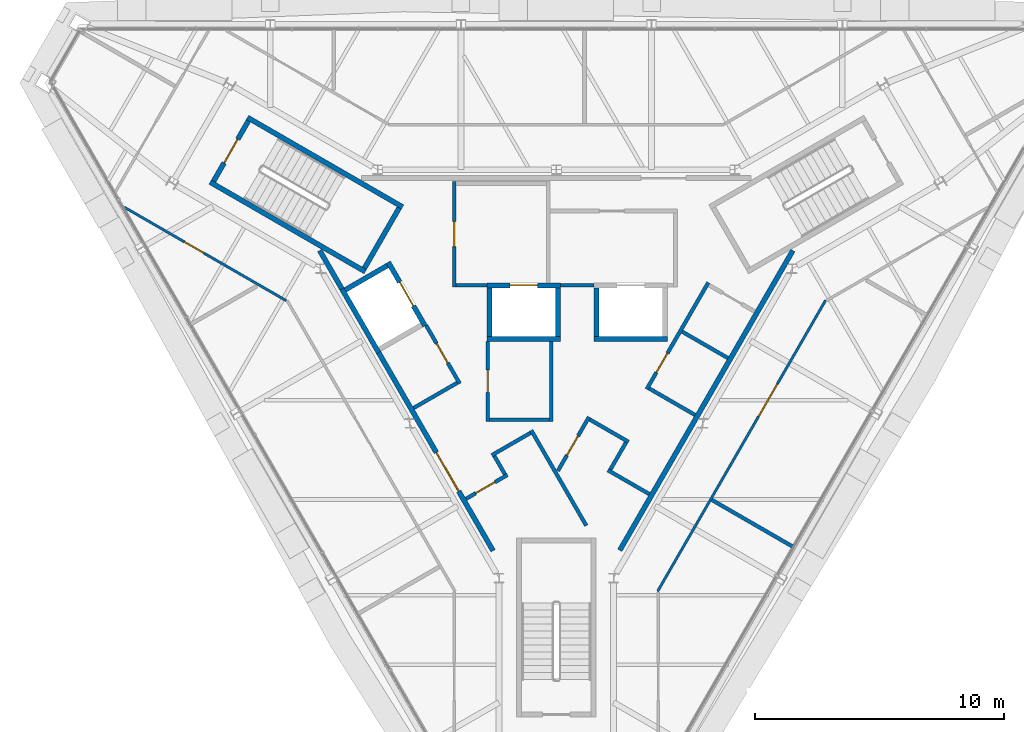
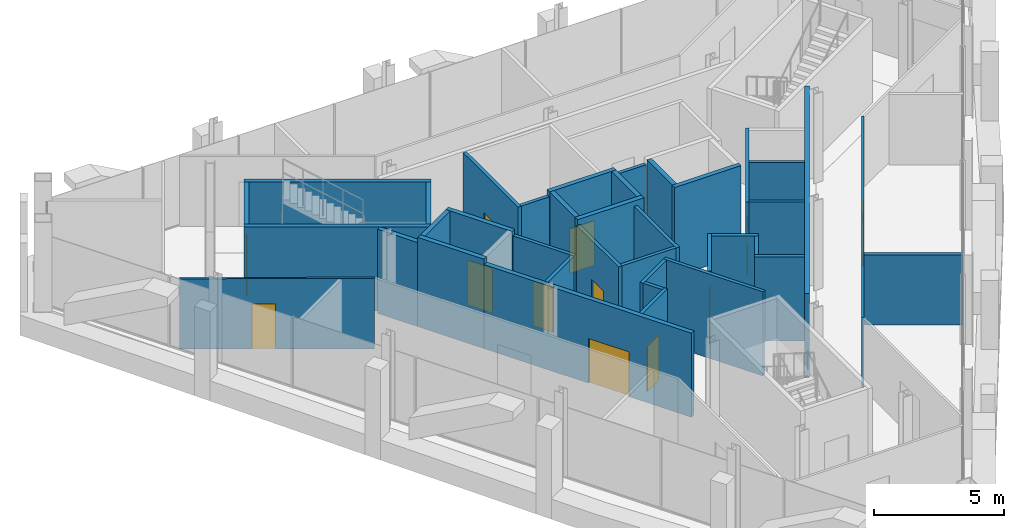
# One storey, part 9 of 13: 38 walls, 12 doors, 12 openings.
"""IFC4 building model written with IfcOpenShell, lengths in metres."""

from ifc_helpers import new_model, si_unit, direction, frame, frame_2d, origin, place, context, subcontext, project, spatial, rectangle, extrude, material, layer, layer_set, type_object, element, fill, save


model = new_model("IFC4")

# Units and contexts
model_context = context("Model", 3, precision=1e-05, world=origin(), true_north=direction((0.0, 1.0)))
body_context = subcontext(model_context, "Body", "Model", "MODEL_VIEW")
ifc_project = project(units=[si_unit("LENGTHUNIT", "METRE"), si_unit("AREAUNIT", "SQUARE_METRE"), si_unit("VOLUMEUNIT", "CUBIC_METRE"), si_unit("PLANEANGLEUNIT", "RADIAN"), si_unit("MASSUNIT", "GRAM", prefix="KILO")], contexts=[model_context])

# Site, building, storey
site_placement = place(None, origin())
site = spatial("IfcSite", under=ifc_project, at=site_placement, CompositionType="ELEMENT")
building_placement = place(site_placement, origin())
building = spatial("IfcBuilding", under=site, at=building_placement, Name="Verrane Prism Tower", CompositionType="ELEMENT")
storey_placement = place(building_placement, frame((0.0, 0.0, 312.60009765625)))
storey = spatial("IfcBuildingStorey", under=building, at=storey_placement, Name="L79", CompositionType="ELEMENT", Elevation=312.60009765625)

# Wall
ifc_material_1 = material(Name="Gypsum board partition", Category="other")
ifc_layer_1 = layer(ifc_material_1, 0.199951171875)
ifc_layer_set_1 = layer_set([ifc_layer_1], Name="CW-200 core boundary wall 2 h")
wall_type_1 = type_object("IfcWallType", Name="CW-200 core boundary wall 2 h", PredefinedType="PARTITIONING", material=ifc_layer_set_1)
wall_1_placement = place(storey_placement, frame((-9.509033203125, 3.550537109375, 0.0), z_axis=(0.0, 0.0, 1.0), x_axis=(0.499999136801, -0.866025902152, 0.0)))
element("IfcWall", 1, at=wall_1_placement, inside=storey, type_object=wall_type_1, Name="Core boundary wall CW3-001", PredefinedType="PARTITIONING", context=body_context, shape_type="SweptSolid", body=[
    extrude(rectangle(XDim=1.7822265625, YDim=0.199951171875, at=frame_2d((0.89111328125, 0.0))), origin(), (0.0, 0.0, 1.0), 3.949951171875),
])

# Wall, opening, door
wall_2_placement = place(storey_placement, frame((-7.14111328125, -0.551025390625, 0.0), z_axis=(0.0, 0.0, 1.0), x_axis=(0.499992795234, -0.866029563418, 0.0)))
wall_2 = element("IfcWall", 2, at=wall_2_placement, inside=storey, type_object=wall_type_1, Name="Core boundary wall CW3-003", PredefinedType="PARTITIONING", context=body_context, shape_type="SweptSolid", body=[
    extrude(rectangle(XDim=9.198486328125, YDim=0.199951171875, at=frame_2d((4.59912109375, 0.0))), origin(), (0.0, 0.0, 1.0), 3.949951171875),
])
opening_1_placement = place(wall_2_placement, frame((4.634033203125, 0.0, 0.0)))
opening_1 = element("IfcOpeningElement", 3, at=opening_1_placement, cuts=wall_2, Name="Opening D79507", PredefinedType="OPENING", context=body_context, shape_type="SweptSolid", body=[
    extrude(rectangle(XDim=1.800048828125, YDim=2.10009765625, at=frame_2d((0.89990234375, 1.050048828125))), frame((0.0, 0.10986328125, 0.0), z_axis=(0.0, -1.0, 0.0), x_axis=(1.0, 0.0, 0.0)), (0.0, 0.0, 1.0), 0.219970703125),
])
ifc_material_2 = material(Name="Timber veneered door leaf", Category="wood")
door_type_1 = type_object("IfcDoorType", Name="DR-1800x2100 FD60 double leaf lift lobby", OperationType="NOTDEFINED", PredefinedType="DOOR", material=ifc_material_2)
door_1_placement = place(opening_1_placement, origin())
door_1 = element("IfcDoor", 4, at=door_1_placement, inside=storey, type_object=door_type_1, Name="Lift lobby door D79507", OperationType="DOUBLE_DOOR_SINGLE_SWING", OverallHeight=2.10009765625, OverallWidth=1.800048828125, PredefinedType="DOOR", context=body_context, shape_type="SweptSolid", body=[
    extrude(rectangle(XDim=1.800048828125, YDim=2.10009765625, at=frame_2d((0.89990234375, 1.050048828125))), frame((0.0, 0.02490234375, 0.0), z_axis=(0.0, -1.0, 0.0), x_axis=(1.0, 0.0, 0.0)), (0.0, 0.0, 1.0), 0.050048828125),
])
fill(opening_1, door_1)

# Wall
wall_3_placement = place(storey_placement, frame((2.552001953125, -8.5, 0.0), z_axis=(0.0, 0.0, 1.0), x_axis=(0.499981156672, 0.866036282712, 0.0)))
element("IfcWall", 5, at=wall_3_placement, inside=storey, type_object=wall_type_1, Name="Core boundary wall CW3-004", PredefinedType="PARTITIONING", context=body_context, shape_type="SweptSolid", body=[
    extrude(rectangle(XDim=13.91455078125, YDim=0.199951171875, at=frame_2d((6.957275390625, 0.0))), origin(), (0.0, 0.0, 1.0), 3.949951171875),
])

# Wall, opening, door
ifc_material_3 = material(Name="Concrete C40/50", Category="concrete")
ifc_layer_2 = layer(ifc_material_3, 0.199951171875)
ifc_layer_set_2 = layer_set([ifc_layer_2], Name="CW-200 stair core wall concrete C40/50 3 h")
wall_type_2 = type_object("IfcWallType", Name="CW-200 stair core wall concrete C40/50 3 h", PredefinedType="PARTITIONING", material=ifc_layer_set_2)
wall_4_placement = place(storey_placement, frame((-12.376953125, 8.762451171875, 0.0), z_axis=(0.0, 0.0, 1.0), x_axis=(-0.500049511043, -0.865996816683, 0.0)))
wall_4 = element("IfcWall", 6, at=wall_4_placement, inside=storey, type_object=wall_type_2, Name="Stair 2 enclosure wall", PredefinedType="PARTITIONING", context=body_context, shape_type="SweptSolid", body=[
    extrude(rectangle(XDim=2.800048828125, YDim=0.199951171875, at=frame_2d((1.39990234375, 0.0))), origin(), (0.0, 0.0, 1.0), 3.949951171875),
])
opening_2_placement = place(wall_4_placement, frame((0.849853515625, 0.0, 0.0)))
opening_2 = element("IfcOpeningElement", 7, at=opening_2_placement, cuts=wall_4, Name="Opening D79501", PredefinedType="OPENING", context=body_context, shape_type="SweptSolid", body=[
    extrude(rectangle(XDim=1.10009765625, YDim=2.10009765625, at=frame_2d((0.550048828125, 1.050048828125))), frame((0.0, 0.10986328125, 0.0), z_axis=(0.0, -1.0, 0.0), x_axis=(1.0, 0.0, 0.0)), (0.0, 0.0, 1.0), 0.219970703125),
])
ifc_material_4 = material(Name="Timber veneered door leaf", Category="wood")
door_type_2 = type_object("IfcDoorType", Name="DR-1100x2100 FD90 single leaf stair", OperationType="NOTDEFINED", PredefinedType="DOOR", material=ifc_material_4)
door_2_placement = place(opening_2_placement, origin())
door_2 = element("IfcDoor", 8, at=door_2_placement, inside=storey, type_object=door_type_2, Name="Stair 2 door", OperationType="SINGLE_SWING_RIGHT", OverallHeight=2.10009765625, OverallWidth=1.10009765625, PredefinedType="DOOR", context=body_context, shape_type="SweptSolid", body=[
    extrude(rectangle(XDim=1.10009765625, YDim=2.10009765625, at=frame_2d((0.550048828125, 1.050048828125))), frame((0.0, 0.02490234375, 0.0), z_axis=(0.0, -1.0, 0.0), x_axis=(1.0, 0.0, 0.0)), (0.0, 0.0, 1.0), 0.050048828125),
])
fill(opening_2, door_2)

# Walls
for number, where, z_axis, x_axis, name in (
    (9, (-7.67822265625, 2.700927734375, 0.0), (0.0, 0.0, 1.0), (-0.866018442252, 0.500012057535, 0.0), "Stair 2 enclosure wall"),
    (10, (-6.17822265625, 5.299072265625, 0.0), (0.0, 0.0, 1.0), (-0.866033125095, 0.499986626058, 0.0), "Stair 2 enclosure wall"),
):
    element("IfcWall", number, at=place(storey_placement, frame(where, z_axis=z_axis, x_axis=x_axis)), inside=storey, type_object=wall_type_2, Name=name, PredefinedType="PARTITIONING", context=body_context, shape_type="SweptSolid", body=[
        extrude(rectangle(XDim=7.199951171875, YDim=0.199951171875, at=frame_2d((3.60009765625, 0.0))), origin(), (0.0, 0.0, 1.0), 3.949951171875),
    ])
wall_5_placement = place(storey_placement, frame((-6.314697265625, 5.262451171875, 0.0), z_axis=(0.0, 0.0, 1.0), x_axis=(-0.500049511043, -0.865996816683, 0.0)))
element("IfcWall", 11, at=wall_5_placement, inside=storey, type_object=wall_type_2, Name="Stair 2 enclosure wall", PredefinedType="PARTITIONING", context=body_context, shape_type="SweptSolid", body=[
    extrude(rectangle(XDim=2.800048828125, YDim=0.199951171875, at=frame_2d((1.39990234375, 0.0))), origin(), (0.0, 0.0, 1.0), 3.949951171875),
])
ifc_material_5 = material(Name="Gypsum board shaft wall assembly", Category="other")
ifc_layer_3 = layer(ifc_material_5, 0.199951171875)
ifc_layer_set_3 = layer_set([ifc_layer_3], Name="HW-200 lift shaft wall 2 h")
wall_type_3 = type_object("IfcWallType", Name="HW-200 lift shaft wall 2 h", PredefinedType="PARTITIONING", material=ifc_layer_set_3)
wall_6_placement = place(storey_placement, frame((-2.784912109375, 0.0, 0.0), z_axis=(0.0, 0.0, 1.0), x_axis=(1.0, 0.0, 0.0)))
element("IfcWall", 12, at=wall_6_placement, inside=storey, type_object=wall_type_3, Name="Lift shaft wall", PredefinedType="PARTITIONING", context=body_context, shape_type="SweptSolid", body=[
    extrude(rectangle(XDim=2.949951171875, YDim=0.199951171875, at=frame_2d((1.47509765625, 0.0))), origin(), (0.0, 0.0, 1.0), 4.199951171875),
])
wall_7_placement = place(storey_placement, frame((1.52490234375, 0.0, 0.0), z_axis=(0.0, 0.0, 1.0), x_axis=(1.0, 0.0, 0.0)))
element("IfcWall", 13, at=wall_7_placement, inside=storey, type_object=wall_type_3, Name="Lift shaft wall", PredefinedType="PARTITIONING", context=body_context, shape_type="SweptSolid", body=[
    extrude(rectangle(XDim=2.9501953125, YDim=0.199951171875, at=frame_2d((1.47509765625, 0.0))), origin(), (0.0, 0.0, 1.0), 4.199951171875),
])

# Wall, opening, door
wall_8_placement = place(storey_placement, frame((-2.784912109375, 2.14990234375, 0.0), z_axis=(0.0, 0.0, 1.0), x_axis=(1.0, 0.0, 0.0)))
wall_8 = element("IfcWall", 14, at=wall_8_placement, inside=storey, type_object=wall_type_3, Name="Lift shaft wall", PredefinedType="PARTITIONING", context=body_context, shape_type="SweptSolid", body=[
    extrude(rectangle(XDim=2.949951171875, YDim=0.199951171875, at=frame_2d((1.47509765625, 0.0))), origin(), (0.0, 0.0, 1.0), 4.199951171875),
])
opening_3_placement = place(wall_8_placement, frame((0.925048828125, 0.0, 0.0)))
opening_3 = element("IfcOpeningElement", 15, at=opening_3_placement, cuts=wall_8, Name="Opening D79503", PredefinedType="OPENING", context=body_context, shape_type="SweptSolid", body=[
    extrude(rectangle(XDim=1.10009765625, YDim=2.10009765625, at=frame_2d((0.550048828125, 1.050048828125))), frame((0.0, 0.10986328125, 0.0), z_axis=(0.0, -1.0, 0.0), x_axis=(1.0, 0.0, 0.0)), (0.0, 0.0, 1.0), 0.219970703125),
])
ifc_material_6 = material(Name="Stainless steel sliding landing door", Category="steel")
door_type_3 = type_object("IfcDoorType", Name="LD-1100x2100 lift landing door FD90 sliding", OperationType="NOTDEFINED", PredefinedType="DOOR", material=ifc_material_6)
door_3_placement = place(opening_3_placement, origin())
door_3 = element("IfcDoor", 16, at=door_3_placement, inside=storey, type_object=door_type_3, Name="Fire service lift 1 landing door", OperationType="SLIDING_TO_LEFT", OverallHeight=2.10009765625, OverallWidth=1.10009765625, PredefinedType="DOOR", context=body_context, shape_type="SweptSolid", body=[
    extrude(rectangle(XDim=1.10009765625, YDim=2.10009765625, at=frame_2d((0.550048828125, 1.050048828125))), frame((0.0, 0.02490234375, 0.0), z_axis=(0.0, -1.0, 0.0), x_axis=(1.0, 0.0, 0.0)), (0.0, 0.0, 1.0), 0.050048828125),
])
fill(opening_3, door_3)

# Walls
for number, where, z_axis, x_axis, name in (
    (17, (-8.48046875, 1.968505859375, 0.0), (0.0, 0.0, 1.0), (0.866000020948, 0.500043961785, 0.0), "Lift shaft wall"),
    (18, (1.625, 0.10009765625, 0.0), (0.0, 0.0, 1.0), (0.0, 1.0, 0.0), "Lift shaft wall"),
    (19, (0.06494140625, 0.10009765625, 0.0), (0.0, 0.0, 1.0), (0.0, 1.0, 0.0), "Lift shaft wall"),
    (20, (-2.68505859375, 0.10009765625, 0.0), (0.0, 0.0, 1.0), (0.0, 1.0, 0.0), "Lift shaft wall"),
):
    element("IfcWall", number, at=place(storey_placement, frame(where, z_axis=z_axis, x_axis=x_axis)), inside=storey, type_object=wall_type_3, Name=name, PredefinedType="PARTITIONING", context=body_context, shape_type="SweptSolid", body=[
        extrude(rectangle(XDim=1.949951171875, YDim=0.199951171875, at=frame_2d((0.97509765625, 0.0))), origin(), (0.0, 0.0, 1.0), 4.199951171875),
    ])

# Wall, opening, door
wall_9_placement = place(storey_placement, frame((-5.280029296875, 0.525390625, 0.0), z_axis=(0.0, 0.0, 1.0), x_axis=(-0.500037662692, 0.866003658127, 0.0)))
wall_9 = element("IfcWall", 21, at=wall_9_placement, inside=storey, type_object=wall_type_3, Name="Lift shaft wall", PredefinedType="PARTITIONING", context=body_context, shape_type="SweptSolid", body=[
    extrude(rectangle(XDim=2.949951171875, YDim=0.199951171875, at=frame_2d((1.47509765625, 0.0))), origin(), (0.0, 0.0, 1.0), 4.199951171875),
])
opening_4_placement = place(wall_9_placement, frame((0.925048828125, 0.0, 0.0)))
opening_4 = element("IfcOpeningElement", 22, at=opening_4_placement, cuts=wall_9, Name="Opening D79505", PredefinedType="OPENING", context=body_context, shape_type="SweptSolid", body=[
    extrude(rectangle(XDim=1.10009765625, YDim=2.10009765625, at=frame_2d((0.550048828125, 1.050048828125))), frame((0.0, 0.10986328125, 0.0), z_axis=(0.0, -1.0, 0.0), x_axis=(1.0, 0.0, 0.0)), (0.0, 0.0, 1.0), 0.219970703125),
])
door_4_placement = place(opening_4_placement, origin())
door_4 = element("IfcDoor", 23, at=door_4_placement, inside=storey, type_object=door_type_3, Name="Service lift 1 landing door", OperationType="SLIDING_TO_LEFT", OverallHeight=2.10009765625, OverallWidth=1.10009765625, PredefinedType="DOOR", context=body_context, shape_type="SweptSolid", body=[
    extrude(rectangle(XDim=1.10009765625, YDim=2.10009765625, at=frame_2d((0.550048828125, 1.050048828125))), frame((0.0, 0.02490234375, 0.0), z_axis=(0.0, -1.0, 0.0), x_axis=(1.0, 0.0, 0.0)), (0.0, 0.0, 1.0), 0.050048828125),
])
fill(opening_4, door_4)

# Wall
wall_10_placement = place(storey_placement, frame((-7.14208984375, -0.549560546875, 0.0), z_axis=(0.0, 0.0, 1.0), x_axis=(-0.49997559174, 0.866039495442, 0.0)))
element("IfcWall", 24, at=wall_10_placement, inside=storey, type_object=wall_type_3, Name="Lift shaft wall", PredefinedType="PARTITIONING", context=body_context, shape_type="SweptSolid", body=[
    extrude(rectangle(XDim=2.949951171875, YDim=0.199951171875, at=frame_2d((1.47509765625, 0.0))), origin(), (0.0, 0.0, 1.0), 4.199951171875),
])

# Wall, opening, door
ifc_material_7 = material(Name="Gypsum board partition", Category="other")
ifc_layer_4 = layer(ifc_material_7, 0.14990234375)
ifc_layer_set_4 = layer_set([ifc_layer_4], Name="LF-150 firefighting lobby wall 1 h")
wall_type_4 = type_object("IfcWallType", Name="LF-150 firefighting lobby wall 1 h", PredefinedType="PARTITIONING", material=ifc_layer_set_4)
wall_11_placement = place(storey_placement, frame((-4.10009765625, 2.0849609375, 0.0), z_axis=(0.0, 0.0, 1.0), x_axis=(0.0, 1.0, 0.0)))
wall_11 = element("IfcWall", 25, at=wall_11_placement, inside=storey, type_object=wall_type_4, Name="Firefighting lobby wall LF1-001", PredefinedType="PARTITIONING", context=body_context, shape_type="SweptSolid", body=[
    extrude(rectangle(XDim=4.22998046875, YDim=0.14990234375, at=frame_2d((2.114990234375, 0.0))), origin(), (0.0, 0.0, 1.0), 3.949951171875),
])
opening_5_placement = place(wall_11_placement, frame((1.625, 0.0, 0.0)))
opening_5 = element("IfcOpeningElement", 26, at=opening_5_placement, cuts=wall_11, Name="Opening D79509", PredefinedType="OPENING", context=body_context, shape_type="SweptSolid", body=[
    extrude(rectangle(XDim=1.0, YDim=2.10009765625, at=frame_2d((0.5, 1.050048828125))), frame((0.0, 0.0849609375, 0.0), z_axis=(0.0, -1.0, 0.0), x_axis=(1.0, 0.0, 0.0)), (0.0, 0.0, 1.0), 0.169921875),
])
ifc_material_8 = material(Name="Timber veneered door leaf", Category="wood")
door_type_4 = type_object("IfcDoorType", Name="DR-1000x2100 FD60 single leaf firefighting lobby", OperationType="NOTDEFINED", PredefinedType="DOOR", material=ifc_material_8)
door_5_placement = place(opening_5_placement, origin())
door_5 = element("IfcDoor", 27, at=door_5_placement, inside=storey, type_object=door_type_4, Name="Firefighting lobby door D79509", OperationType="SINGLE_SWING_LEFT", OverallHeight=2.10009765625, OverallWidth=1.0, PredefinedType="DOOR", context=body_context, shape_type="SweptSolid", body=[
    extrude(rectangle(XDim=1.0, YDim=2.10009765625, at=frame_2d((0.5, 1.050048828125))), frame((0.0, 0.02490234375, 0.0), z_axis=(0.0, -1.0, 0.0), x_axis=(1.0, 0.0, 0.0)), (0.0, 0.0, 1.0), 0.050048828125),
])
fill(opening_5, door_5)

# Walls
wall_12_placement = place(storey_placement, frame((-4.02490234375, 2.159912109375, 0.0), z_axis=(0.0, 0.0, 1.0), x_axis=(1.0, 0.0, 0.0)))
element("IfcWall", 28, at=wall_12_placement, inside=storey, type_object=wall_type_4, Name="Firefighting lobby wall LF1-002", PredefinedType="PARTITIONING", context=body_context, shape_type="SweptSolid", body=[
    extrude(rectangle(XDim=1.23779296875, YDim=0.14990234375, at=frame_2d((0.618896484375, 0.0))), origin(), (0.0, 0.0, 1.0), 3.949951171875),
])
wall_13_placement = place(storey_placement, frame((0.1669921875, 2.159912109375, 0.0), z_axis=(0.0, 0.0, 1.0), x_axis=(1.0, 0.0, 0.0)))
element("IfcWall", 29, at=wall_13_placement, inside=storey, type_object=wall_type_4, Name="Firefighting lobby wall LF1-006", PredefinedType="PARTITIONING", context=body_context, shape_type="SweptSolid", body=[
    extrude(rectangle(XDim=1.35595703125, YDim=0.14990234375, at=frame_2d((0.677978515625, 0.0))), origin(), (0.0, 0.0, 1.0), 3.949951171875),
])

# Wall, opening, door
ifc_material_9 = material(Name="Gypsum board partition", Category="other")
ifc_layer_5 = layer(ifc_material_9, 0.10009765625)
ifc_layer_set_5 = layer_set([ifc_layer_5], Name="PW-100 crown corridor wall 1 h")
wall_type_5 = type_object("IfcWallType", Name="PW-100 crown corridor wall 1 h", PredefinedType="PARTITIONING", material=ifc_layer_set_5)
wall_14_placement = place(storey_placement, frame((-10.858642578125, 1.537109375, 0.0), z_axis=(0.0, 0.0, 1.0), x_axis=(-0.866105995393, 0.499860385252, 0.0)))
wall_14 = element("IfcWall", 30, at=wall_14_placement, inside=storey, type_object=wall_type_5, Name="Corridor wall 003", PredefinedType="PARTITIONING", context=body_context, shape_type="SweptSolid", body=[
    extrude(rectangle(XDim=7.508056640625, YDim=0.10009765625, at=frame_2d((3.75390625, 0.0))), origin(), (0.0, 0.0, 1.0), 3.296875),
])
opening_6_placement = place(wall_14_placement, frame((3.82177734375, 0.0, 0.0)))
opening_6 = element("IfcOpeningElement", 31, at=opening_6_placement, cuts=wall_14, Name="Opening D79012", PredefinedType="OPENING", context=body_context, shape_type="SweptSolid", body=[
    extrude(rectangle(XDim=0.89990234375, YDim=2.10009765625, at=frame_2d((0.449951171875, 1.050048828125))), frame((0.0, 0.06005859375, 0.0), z_axis=(0.0, -1.0, 0.0), x_axis=(1.0, 0.0, 0.0)), (0.0, 0.0, 1.0), 0.1201171875),
])
ifc_material_10 = material(Name="Timber veneered door leaf", Category="wood")
door_type_5 = type_object("IfcDoorType", Name="DR-900x2100 FD20 single leaf service", OperationType="NOTDEFINED", PredefinedType="DOOR", material=ifc_material_10)
door_6_placement = place(opening_6_placement, origin())
door_6 = element("IfcDoor", 32, at=door_6_placement, inside=storey, type_object=door_type_5, Name="Linen Store door", OperationType="SINGLE_SWING_LEFT", OverallHeight=2.10009765625, OverallWidth=0.89990234375, PredefinedType="DOOR", context=body_context, shape_type="SweptSolid", body=[
    extrude(rectangle(XDim=0.89990234375, YDim=2.10009765625, at=frame_2d((0.449951171875, 1.050048828125))), frame((0.0, 0.02490234375, 0.0), z_axis=(0.0, -1.0, 0.0), x_axis=(1.0, 0.0, 0.0)), (0.0, 0.0, 1.0), 0.050048828125),
])
fill(opening_6, door_6)

wall_15_placement = place(storey_placement, frame((10.822998046875, 1.54541015625, 0.0), z_axis=(0.0, 0.0, 1.0), x_axis=(-0.499912942625, -0.866075660549, 0.0)))
wall_15 = element("IfcWall", 33, at=wall_15_placement, inside=storey, type_object=wall_type_5, Name="Corridor wall 014", PredefinedType="PARTITIONING", context=body_context, shape_type="SweptSolid", body=[
    extrude(rectangle(XDim=13.49853515625, YDim=0.10009765625, at=frame_2d((6.749267578125, 0.0))), origin(), (0.0, 0.0, 1.0), 3.296875),
])
opening_7_placement = place(wall_15_placement, frame((3.88037109375, 0.0, 0.0)))
opening_7 = element("IfcOpeningElement", 34, at=opening_7_placement, cuts=wall_15, Name="Opening D79010", PredefinedType="OPENING", context=body_context, shape_type="SweptSolid", body=[
    extrude(rectangle(XDim=1.5, YDim=2.10009765625, at=frame_2d((0.75, 1.050048828125))), frame((0.0, 0.06005859375, 0.0), z_axis=(0.0, -1.0, 0.0), x_axis=(1.0, 0.0, 0.0)), (0.0, 0.0, 1.0), 0.1201171875),
])
ifc_material_11 = material(Name="Timber veneered door leaf", Category="wood")
door_type_6 = type_object("IfcDoorType", Name="DR-1500x2100 FD60 double leaf unit", OperationType="NOTDEFINED", PredefinedType="DOOR", material=ifc_material_11)
door_7_placement = place(opening_7_placement, origin())
door_7 = element("IfcDoor", 35, at=door_7_placement, inside=storey, type_object=door_type_6, Name="Mechanical Plant Room door", OperationType="DOUBLE_DOOR_SINGLE_SWING", OverallHeight=2.10009765625, OverallWidth=1.5, PredefinedType="DOOR", context=body_context, shape_type="SweptSolid", body=[
    extrude(rectangle(XDim=1.5, YDim=2.10009765625, at=frame_2d((0.75, 1.050048828125))), frame((0.0, 0.02490234375, 0.0), z_axis=(0.0, -1.0, 0.0), x_axis=(1.0, 0.0, 0.0)), (0.0, 0.0, 1.0), 0.050048828125),
])
fill(opening_7, door_7)

# Walls
ifc_material_12 = material(Name="Gypsum board partition", Category="other")
ifc_layer_6 = layer(ifc_material_12, 0.14990234375)
ifc_layer_set_6 = layer_set([ifc_layer_6], Name="PW-150 demising wall 1 h")
wall_type_6 = type_object("IfcWallType", Name="PW-150 demising wall 1 h", PredefinedType="PARTITIONING", material=ifc_layer_set_6)
wall_16_placement = place(storey_placement, frame((6.252197265625, -6.473876953125, 0.0), z_axis=(0.0, 0.0, 1.0), x_axis=(0.866085610259, -0.499895704825, 0.0)))
element("IfcWall", 36, at=wall_16_placement, inside=storey, type_object=wall_type_6, Name="Demising wall 015", PredefinedType="PARTITIONING", context=body_context, shape_type="SweptSolid", body=[
    extrude(rectangle(XDim=3.781494140625, YDim=0.14990234375, at=frame_2d((1.890625, 0.0))), origin(), (0.0, 0.0, 1.0), 3.296875),
])
ifc_material_13 = material(Name="Gypsum board partition", Category="other")
ifc_layer_7 = layer(ifc_material_13, 0.14990234375)
ifc_layer_set_7 = layer_set([ifc_layer_7], Name="RS-150 riser enclosure wall 1 h")
wall_type_7 = type_object("IfcWallType", Name="RS-150 riser enclosure wall 1 h", PredefinedType="PARTITIONING", material=ifc_layer_set_7)
wall_17_placement = place(storey_placement, frame((-5.7373046875, -2.781982421875, 0.0), z_axis=(0.0, 0.0, 1.0), x_axis=(0.866000843773, 0.500042536776, 0.0)))
element("IfcWall", 37, at=wall_17_placement, inside=storey, type_object=wall_type_7, Name="Riser wall RS3-001", PredefinedType="PARTITIONING", context=body_context, shape_type="SweptSolid", body=[
    extrude(rectangle(XDim=2.024658203125, YDim=0.14990234375, at=frame_2d((1.01220703125, 0.0))), origin(), (0.0, 0.0, 1.0), 3.949951171875),
])

# Wall, opening, door
wall_18_placement = place(storey_placement, frame((-3.881591796875, -1.796875, 0.0), z_axis=(0.0, 0.0, 1.0), x_axis=(-0.500016307898, 0.86601598821, 0.0)))
wall_18 = element("IfcWall", 38, at=wall_18_placement, inside=storey, type_object=wall_type_7, Name="Riser wall RS3-002", PredefinedType="PARTITIONING", context=body_context, shape_type="SweptSolid", body=[
    extrude(rectangle(XDim=2.708984375, YDim=0.14990234375, at=frame_2d((1.3544921875, 0.0))), origin(), (0.0, 0.0, 1.0), 3.949951171875),
])
opening_8_placement = place(wall_18_placement, frame((0.958984375, 0.0, 0.0)))
opening_8 = element("IfcOpeningElement", 39, at=opening_8_placement, cuts=wall_18, Name="Opening D79508", PredefinedType="OPENING", context=body_context, shape_type="SweptSolid", body=[
    extrude(rectangle(XDim=0.89990234375, YDim=2.10009765625, at=frame_2d((0.449951171875, 1.050048828125))), frame((0.0, 0.0849609375, 0.0), z_axis=(0.0, -1.0, 0.0), x_axis=(1.0, 0.0, 0.0)), (0.0, 0.0, 1.0), 0.169921875),
])
ifc_material_14 = material(Name="Timber veneered door leaf", Category="wood")
door_type_7 = type_object("IfcDoorType", Name="DR-900x2100 FD60 single leaf riser", OperationType="NOTDEFINED", PredefinedType="DOOR", material=ifc_material_14)
door_8_placement = place(opening_8_placement, origin())
door_8 = element("IfcDoor", 40, at=door_8_placement, inside=storey, type_object=door_type_7, Name="Riser door D79508", OperationType="SINGLE_SWING_LEFT", OverallHeight=2.10009765625, OverallWidth=0.89990234375, PredefinedType="DOOR", context=body_context, shape_type="SweptSolid", body=[
    extrude(rectangle(XDim=0.89990234375, YDim=2.10009765625, at=frame_2d((0.449951171875, 1.050048828125))), frame((0.0, 0.02490234375, 0.0), z_axis=(0.0, -1.0, 0.0), x_axis=(1.0, 0.0, 0.0)), (0.0, 0.0, 1.0), 0.050048828125),
])
fill(opening_8, door_8)

wall_19_placement = place(storey_placement, frame((-1.963134765625, -5.469482421875, 0.0), z_axis=(0.0, 0.0, 1.0), x_axis=(-0.866043720474, -0.49996827322, 0.0)))
wall_19 = element("IfcWall", 41, at=wall_19_placement, inside=storey, type_object=wall_type_7, Name="Riser wall RS3-003", PredefinedType="PARTITIONING", context=body_context, shape_type="SweptSolid", body=[
    extrude(rectangle(XDim=1.919921875, YDim=0.14990234375, at=frame_2d((0.9599609375, 0.0))), origin(), (0.0, 0.0, 1.0), 3.949951171875),
])
opening_9_placement = place(wall_19_placement, frame((0.5751953125, 0.0, 0.0)))
opening_9 = element("IfcOpeningElement", 42, at=opening_9_placement, cuts=wall_19, Name="Opening D79510", PredefinedType="OPENING", context=body_context, shape_type="SweptSolid", body=[
    extrude(rectangle(XDim=0.89990234375, YDim=2.10009765625, at=frame_2d((0.449951171875, 1.050048828125))), frame((0.0, 0.0849609375, 0.0), z_axis=(0.0, -1.0, 0.0), x_axis=(1.0, 0.0, 0.0)), (0.0, 0.0, 1.0), 0.169921875),
])
ifc_material_15 = material(Name="Timber veneered door leaf", Category="wood")
door_type_8 = type_object("IfcDoorType", Name="DR-900x2100 FD20 single leaf store", OperationType="NOTDEFINED", PredefinedType="DOOR", material=ifc_material_15)
door_9_placement = place(opening_9_placement, origin())
door_9 = element("IfcDoor", 43, at=door_9_placement, inside=storey, type_object=door_type_8, Name="Room door D79510", OperationType="SINGLE_SWING_RIGHT", OverallHeight=2.10009765625, OverallWidth=0.89990234375, PredefinedType="DOOR", context=body_context, shape_type="SweptSolid", body=[
    extrude(rectangle(XDim=0.89990234375, YDim=2.10009765625, at=frame_2d((0.449951171875, 1.050048828125))), frame((0.0, 0.02490234375, 0.0), z_axis=(0.0, -1.0, 0.0), x_axis=(1.0, 0.0, 0.0)), (0.0, 0.0, 1.0), 0.050048828125),
])
fill(opening_9, door_9)

wall_20_placement = place(storey_placement, frame((-2.7548828125, -0.10205078125, 0.0), z_axis=(0.0, 0.0, 1.0), x_axis=(0.0, -1.0, 0.0)))
wall_20 = element("IfcWall", 44, at=wall_20_placement, inside=storey, type_object=wall_type_7, Name="Riser wall RS3-004", PredefinedType="PARTITIONING", context=body_context, shape_type="SweptSolid", body=[
    extrude(rectangle(XDim=3.222900390625, YDim=0.14990234375, at=frame_2d((1.611328125, 0.0))), origin(), (0.0, 0.0, 1.0), 3.949951171875),
])
opening_10_placement = place(wall_20_placement, frame((1.14794921875, 0.0, 0.0)))
opening_10 = element("IfcOpeningElement", 45, at=opening_10_placement, cuts=wall_20, Name="Opening D79511", PredefinedType="OPENING", context=body_context, shape_type="SweptSolid", body=[
    extrude(rectangle(XDim=0.89990234375, YDim=2.10009765625, at=frame_2d((0.449951171875, 1.050048828125))), frame((0.0, 0.0849609375, 0.0), z_axis=(0.0, -1.0, 0.0), x_axis=(1.0, 0.0, 0.0)), (0.0, 0.0, 1.0), 0.169921875),
])
door_10_placement = place(opening_10_placement, origin())
door_10 = element("IfcDoor", 46, at=door_10_placement, inside=storey, type_object=door_type_8, Name="Room door D79511", OperationType="SINGLE_SWING_LEFT", OverallHeight=2.10009765625, OverallWidth=0.89990234375, PredefinedType="DOOR", context=body_context, shape_type="SweptSolid", body=[
    extrude(rectangle(XDim=0.89990234375, YDim=2.10009765625, at=frame_2d((0.449951171875, 1.050048828125))), frame((0.0, 0.02490234375, 0.0), z_axis=(0.0, -1.0, 0.0), x_axis=(1.0, 0.0, 0.0)), (0.0, 0.0, 1.0), 0.050048828125),
])
fill(opening_10, door_10)

# Walls
wall_21_placement = place(storey_placement, frame((-2.679931640625, -3.25, 0.0), z_axis=(0.0, 0.0, 1.0), x_axis=(1.0, 0.0, 0.0)))
element("IfcWall", 47, at=wall_21_placement, inside=storey, type_object=wall_type_7, Name="Riser wall RS3-005", PredefinedType="PARTITIONING", context=body_context, shape_type="SweptSolid", body=[
    extrude(rectangle(XDim=2.39990234375, YDim=0.14990234375, at=frame_2d((1.199951171875, 0.0))), origin(), (0.0, 0.0, 1.0), 3.949951171875),
])
wall_22_placement = place(storey_placement, frame((-2.490478515625, -4.7060546875, 0.0), z_axis=(0.0, 0.0, 1.0), x_axis=(0.500062241894, -0.865989465428, 0.0)))
element("IfcWall", 48, at=wall_22_placement, inside=storey, type_object=wall_type_7, Name="Riser wall RS3-006", PredefinedType="PARTITIONING", context=body_context, shape_type="SweptSolid", body=[
    extrude(rectangle(XDim=0.85009765625, YDim=0.14990234375, at=frame_2d((0.425048828125, 0.0))), origin(), (0.0, 0.0, 1.0), 3.949951171875),
])
wall_23_placement = place(storey_placement, frame((-2.593017578125, -4.678466796875, 0.0), z_axis=(0.0, 0.0, 1.0), x_axis=(0.866081705922, 0.499902469156, 0.0)))
element("IfcWall", 49, at=wall_23_placement, inside=storey, type_object=wall_type_7, Name="Riser wall RS3-007", PredefinedType="PARTITIONING", context=body_context, shape_type="SweptSolid", body=[
    extrude(rectangle(XDim=1.800048828125, YDim=0.14990234375, at=frame_2d((0.89990234375, 0.0))), origin(), (0.0, 0.0, 1.0), 3.949951171875),
])
wall_24_placement = place(storey_placement, frame((-1.006591796875, -3.676025390625, 0.0), z_axis=(0.0, 0.0, 1.0), x_axis=(0.500037662692, -0.866003658127, 0.0)))
element("IfcWall", 50, at=wall_24_placement, inside=storey, type_object=wall_type_7, Name="Riser wall RS3-008", PredefinedType="PARTITIONING", context=body_context, shape_type="SweptSolid", body=[
    extrude(rectangle(XDim=4.425048828125, YDim=0.14990234375, at=frame_2d((2.21240234375, 0.0))), origin(), (0.0, 0.0, 1.0), 3.949951171875),
])
wall_25_placement = place(storey_placement, frame((-0.205078125, -3.324951171875, 0.0), z_axis=(0.0, 0.0, 1.0), x_axis=(0.0, 1.0, 0.0)))
element("IfcWall", 51, at=wall_25_placement, inside=storey, type_object=wall_type_7, Name="Riser wall RS3-009", PredefinedType="PARTITIONING", context=body_context, shape_type="SweptSolid", body=[
    extrude(rectangle(XDim=3.222900390625, YDim=0.14990234375, at=frame_2d((1.611328125, 0.0))), origin(), (0.0, 0.0, 1.0), 3.949951171875),
])

# Wall, opening, door
wall_26_placement = place(storey_placement, frame((1.31640625, -3.13916015625, 0.0), z_axis=(0.0, 0.0, 1.0), x_axis=(-0.500063042646, -0.865989003036, 0.0)))
wall_26 = element("IfcWall", 52, at=wall_26_placement, inside=storey, type_object=wall_type_7, Name="Riser wall RS3-010", PredefinedType="PARTITIONING", context=body_context, shape_type="SweptSolid", body=[
    extrude(rectangle(XDim=2.502685546875, YDim=0.14990234375, at=frame_2d((1.25146484375, 0.0))), origin(), (0.0, 0.0, 1.0), 3.949951171875),
])
opening_11_placement = place(wall_26_placement, frame((0.8828125, 0.0, 0.0)))
opening_11 = element("IfcOpeningElement", 53, at=opening_11_placement, cuts=wall_26, Name="Opening D79513", PredefinedType="OPENING", context=body_context, shape_type="SweptSolid", body=[
    extrude(rectangle(XDim=0.89990234375, YDim=2.10009765625, at=frame_2d((0.449951171875, 1.050048828125))), frame((0.0, 0.0849609375, 0.0), z_axis=(0.0, -1.0, 0.0), x_axis=(1.0, 0.0, 0.0)), (0.0, 0.0, 1.0), 0.169921875),
])
door_11_placement = place(opening_11_placement, origin())
door_11 = element("IfcDoor", 54, at=door_11_placement, inside=storey, type_object=door_type_8, Name="Room door D79513", OperationType="SINGLE_SWING_RIGHT", OverallHeight=2.10009765625, OverallWidth=0.89990234375, PredefinedType="DOOR", context=body_context, shape_type="SweptSolid", body=[
    extrude(rectangle(XDim=0.89990234375, YDim=2.10009765625, at=frame_2d((0.449951171875, 1.050048828125))), frame((0.0, 0.02490234375, 0.0), z_axis=(0.0, -1.0, 0.0), x_axis=(1.0, 0.0, 0.0)), (0.0, 0.0, 1.0), 0.050048828125),
])
fill(opening_11, door_11)

# Walls
wall_27_placement = place(storey_placement, frame((1.343994140625, -3.241455078125, 0.0), z_axis=(0.0, 0.0, 1.0), x_axis=(0.865989075817, -0.500062916607, 0.0)))
element("IfcWall", 55, at=wall_27_placement, inside=storey, type_object=wall_type_7, Name="Riser wall RS3-011", PredefinedType="PARTITIONING", context=body_context, shape_type="SweptSolid", body=[
    extrude(rectangle(XDim=1.800048828125, YDim=0.14990234375, at=frame_2d((0.89990234375, 0.0))), origin(), (0.0, 0.0, 1.0), 3.949951171875),
])
wall_28_placement = place(storey_placement, frame((2.175537109375, -5.2509765625, 0.0), z_axis=(0.0, 0.0, 1.0), x_axis=(0.500173430036, 0.86592525075, 0.0)))
element("IfcWall", 56, at=wall_28_placement, inside=storey, type_object=wall_type_7, Name="Riser wall RS3-012", PredefinedType="PARTITIONING", context=body_context, shape_type="SweptSolid", body=[
    extrude(rectangle(XDim=1.24951171875, YDim=0.14990234375, at=frame_2d((0.624755859375, 0.0))), origin(), (0.0, 0.0, 1.0), 3.949951171875),
])
wall_29_placement = place(storey_placement, frame((2.072998046875, -5.278564453125, 0.0), z_axis=(0.0, 0.0, 1.0), x_axis=(0.86609690551, -0.499876134923, 0.0)))
element("IfcWall", 57, at=wall_29_placement, inside=storey, type_object=wall_type_7, Name="Riser wall RS3-013", PredefinedType="PARTITIONING", context=body_context, shape_type="SweptSolid", body=[
    extrude(rectangle(XDim=1.92529296875, YDim=0.14990234375, at=frame_2d((0.962646484375, 0.0))), origin(), (0.0, 0.0, 1.0), 3.949951171875),
])
wall_30_placement = place(storey_placement, frame((3.738037109375, -1.99658203125, 0.0), z_axis=(0.0, 0.0, 1.0), x_axis=(0.865913749133, -0.500193341681, 0.0)))
element("IfcWall", 58, at=wall_30_placement, inside=storey, type_object=wall_type_7, Name="Riser wall RS3-014", PredefinedType="PARTITIONING", context=body_context, shape_type="SweptSolid", body=[
    extrude(rectangle(XDim=2.124267578125, YDim=0.14990234375, at=frame_2d((1.06201171875, 0.0))), origin(), (0.0, 0.0, 1.0), 3.949951171875),
])

# Wall, opening, door
wall_31_placement = place(storey_placement, frame((6.110595703125, 2.262939453125, 0.0), z_axis=(0.0, 0.0, 1.0), x_axis=(-0.500011342071, -0.866018855338, 0.0)))
wall_31 = element("IfcWall", 59, at=wall_31_placement, inside=storey, type_object=wall_type_7, Name="Riser wall RS3-015", PredefinedType="PARTITIONING", context=body_context, shape_type="SweptSolid", body=[
    extrude(rectangle(XDim=4.9501953125, YDim=0.14990234375, at=frame_2d((2.47509765625, 0.0))), origin(), (0.0, 0.0, 1.0), 3.949951171875),
])
opening_12_placement = place(wall_31_placement, frame((3.275146484375, 0.0, 0.0)))
opening_12 = element("IfcOpeningElement", 60, at=opening_12_placement, cuts=wall_31, Name="Opening D79514", PredefinedType="OPENING", context=body_context, shape_type="SweptSolid", body=[
    extrude(rectangle(XDim=0.89990234375, YDim=2.10009765625, at=frame_2d((0.449951171875, 1.050048828125))), frame((0.0, 0.0849609375, 0.0), z_axis=(0.0, -1.0, 0.0), x_axis=(1.0, 0.0, 0.0)), (0.0, 0.0, 1.0), 0.169921875),
])
door_12_placement = place(opening_12_placement, origin())
door_12 = element("IfcDoor", 61, at=door_12_placement, inside=storey, type_object=door_type_7, Name="Riser door D79514", OperationType="SINGLE_SWING_RIGHT", OverallHeight=2.10009765625, OverallWidth=0.89990234375, PredefinedType="DOOR", context=body_context, shape_type="SweptSolid", body=[
    extrude(rectangle(XDim=0.89990234375, YDim=2.10009765625, at=frame_2d((0.449951171875, 1.050048828125))), frame((0.0, 0.02490234375, 0.0), z_axis=(0.0, -1.0, 0.0), x_axis=(1.0, 0.0, 0.0)), (0.0, 0.0, 1.0), 0.050048828125),
])
fill(opening_12, door_12)

# Wall
wall_32_placement = place(storey_placement, frame((5.057861328125, 0.28955078125, 0.0), z_axis=(0.0, 0.0, 1.0), x_axis=(0.866141567767, -0.499798744081, 0.0)))
element("IfcWall", 62, at=wall_32_placement, inside=storey, type_object=wall_type_7, Name="Riser wall RS3-016", PredefinedType="PARTITIONING", context=body_context, shape_type="SweptSolid", body=[
    extrude(rectangle(XDim=2.1240234375, YDim=0.14990234375, at=frame_2d((1.06201171875, 0.0))), origin(), (0.0, 0.0, 1.0), 3.949951171875),
])

save(model, "model.ifc")
